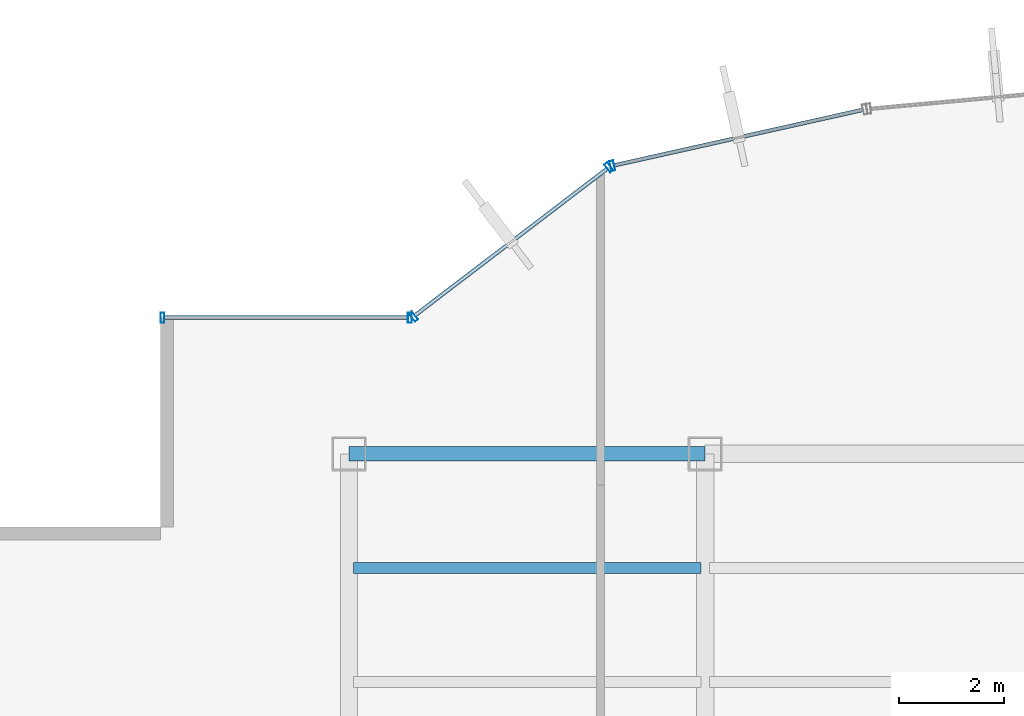
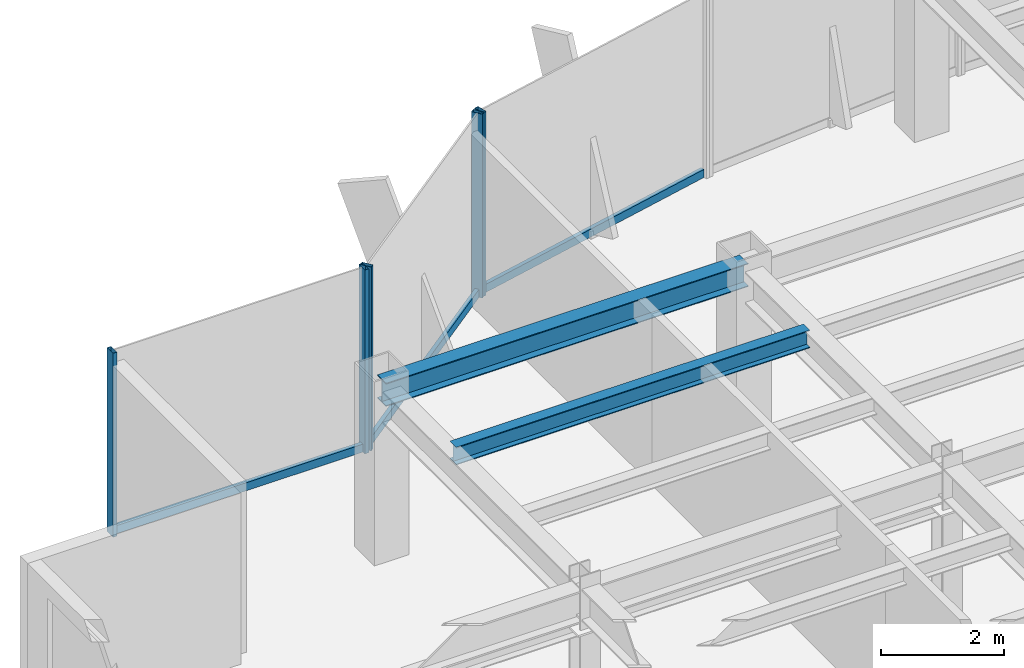
# One storey, part 8 of 19: 8 members, 2 beams, 3 elements without a shape of their own.
"""IFC4 building model written with IfcOpenShell, lengths in metres."""

import ifcopenshell
import ifcopenshell.guid

model = None  # the IFC model being written
_history = None  # IfcOwnerHistory: only IFC2X3 demands one
_inside = {}  # id of a spatial element -> (the spatial element, [elements in it])
_under = {}  # id of a project, library or spatial element -> (it, [spatial elements below it])
_declared = {}  # id of a project -> (the project, [libraries it declares])
_typed = {}  # id of a type object -> (the type object, [elements of that type])
_made_of = {}  # id of a material, layer set ... -> (it, [elements and type objects made of it])


def new_model(schema):
    """Start an empty IFC model of exactly this schema.

    Asked for "IFC4X3", IfcOpenShell would pick the latest addendum, in which some entities
    have other attributes; the version numbers below select the first issue.
    IFC2X3 requires an IfcOwnerHistory on every rooted entity: one is made here for all.
    """
    global model, _history
    if schema == "IFC4X3":
        model = ifcopenshell.file(schema_version=(4, 3, 0, 0))
    else:
        model = ifcopenshell.file(schema=schema)
    _inside.clear()
    _under.clear()
    _declared.clear()
    _typed.clear()
    _made_of.clear()
    _history = None
    if model.schema == "IFC2X3":
        org = make("IfcOrganization", Name="unknown")
        user = make(
            "IfcPersonAndOrganization",
            ThePerson=make("IfcPerson", FamilyName="unknown"),
            TheOrganization=org,
        )
        app = make(
            "IfcApplication",
            ApplicationDeveloper=org,
            Version="unknown",
            ApplicationFullName="unknown",
            ApplicationIdentifier="unknown",
        )
        _history = make(
            "IfcOwnerHistory",
            OwningUser=user,
            OwningApplication=app,
            ChangeAction="ADDED",
            CreationDate=0,
        )
    return model


def make(cls, **values):
    """One entity of the class cls with the attributes given. An attribute that is None is left unset."""
    return model.create_entity(
        cls, **{name: value for name, value in values.items() if value is not None}
    )


def rooted(cls, **values):
    """An entity with a GlobalId (a new one), such as an element, a storey or a relation."""
    return make(cls, GlobalId=ifcopenshell.guid.new(), OwnerHistory=_history, **values)


def si_unit(unit_type, name, prefix=None):
    """IfcSIUnit, for example si_unit("LENGTHUNIT", "METRE", prefix="MILLI")."""
    return make("IfcSIUnit", UnitType=unit_type, Prefix=prefix, Name=name)


def derived_unit(unit_type, elements):
    """IfcDerivedUnit: a product of units, each with its exponent."""
    return make(
        "IfcDerivedUnit",
        Elements=[
            make("IfcDerivedUnitElement", Unit=unit, Exponent=power)
            for unit, power in elements
        ],
        UnitType=unit_type,
    )


def assignment(units):
    """IfcUnitAssignment: the units of a project."""
    return None if units is None else make("IfcUnitAssignment", Units=units)


def point(xyz):
    """IfcCartesianPoint."""
    return None if xyz is None else make("IfcCartesianPoint", Coordinates=xyz)


def direction(xyz):
    """IfcDirection."""
    return None if xyz is None else make("IfcDirection", DirectionRatios=xyz)


def frame(location, z_axis=None, x_axis=None):
    """IfcAxis2Placement3D, a coordinate frame: its origin and axes. An axis left out is left unset."""
    return make(
        "IfcAxis2Placement3D",
        Location=point(location),
        Axis=direction(z_axis),
        RefDirection=direction(x_axis),
    )


def frame_2d(location, x_axis=None):
    """IfcAxis2Placement2D, a coordinate frame in the plane: its origin and x axis."""
    return make(
        "IfcAxis2Placement2D", Location=point(location), RefDirection=direction(x_axis)
    )


def origin():
    """The frame at (0, 0, 0) with its axes left unset."""
    return frame((0.0, 0.0, 0.0))


def origin_2d():
    """The frame at (0, 0) in the plane with its x axis left unset."""
    return frame_2d((0.0, 0.0))


def place(relative_to, where):
    """IfcLocalPlacement: puts the frame where relative to a parent placement (None: the world)."""
    return make(
        "IfcLocalPlacement", PlacementRelTo=relative_to, RelativePlacement=where
    )


def context(
    kind, dimensions, precision=None, world=None, true_north=None, identifier=None
):
    """IfcGeometricRepresentationContext, for example the 3D "Model" context."""
    return make(
        "IfcGeometricRepresentationContext",
        ContextIdentifier=identifier,
        ContextType=kind,
        CoordinateSpaceDimension=dimensions,
        Precision=precision,
        WorldCoordinateSystem=world,
        TrueNorth=true_north,
    )


def subcontext(parent, identifier, kind, view, scale=None):
    """IfcGeometricRepresentationSubContext, for example "Body" below "Model"."""
    return make(
        "IfcGeometricRepresentationSubContext",
        ContextIdentifier=identifier,
        ContextType=kind,
        ParentContext=parent,
        TargetScale=scale,
        TargetView=view,
    )


def project(units=None, contexts=None):
    """IfcProject with its units and contexts."""
    return rooted(
        "IfcProject",
        Name="project",
        RepresentationContexts=contexts,
        UnitsInContext=assignment(units),
    )


def spatial(cls, under=None, at=None, **own):
    """A site, building, storey or space (cls), placed at a placement, below another one or the project."""
    s = rooted(cls, ObjectPlacement=at, **own)
    if under is not None:
        _under.setdefault(under.id(), (under, []))[1].append(s)
    return s


def profile(cls, at=None, kind="AREA", **sizes):
    """A parametric profile (cls). Its sizes go by their IFC names, for example OverallWidth=200.0."""
    return make(cls, ProfileType=kind, Position=at, **sizes)


def hollow_rectangle(**sizes):
    """IfcRectangleHollowProfileDef."""
    return profile("IfcRectangleHollowProfileDef", **sizes)


def i_section(**sizes):
    """IfcIShapeProfileDef."""
    return profile("IfcIShapeProfileDef", **sizes)


def extrude(swept, where, along, depth):
    """IfcExtrudedAreaSolid: the profile swept, set in the frame where, extruded along a direction by depth."""
    return make(
        "IfcExtrudedAreaSolid",
        SweptArea=swept,
        Position=where,
        ExtrudedDirection=direction(along),
        Depth=depth,
    )


def shape(context_of_items, identifier, shape_type, items):
    """IfcShapeRepresentation: the items that make up one representation, for example the "Body"."""
    return make(
        "IfcShapeRepresentation",
        ContextOfItems=context_of_items,
        RepresentationIdentifier=identifier,
        RepresentationType=shape_type,
        Items=items,
    )


def source(mapping_origin, context_of_items, identifier, shape_type, items):
    """IfcRepresentationMap: a shape defined once, which mapped items show again and again."""
    return make(
        "IfcRepresentationMap",
        MappingOrigin=mapping_origin,
        MappedRepresentation=shape(context_of_items, identifier, shape_type, items),
    )


def transform(
    local_origin,
    x_axis=None,
    y_axis=None,
    z_axis=None,
    scale=None,
    scale2=None,
    scale3=None,
    uniform=True,
):
    """IfcCartesianTransformationOperator3D, or its non-uniform kind. x_axis, y_axis, z_axis: its Axis1, 2, 3."""
    if uniform:
        return make(
            "IfcCartesianTransformationOperator3D",
            Axis1=direction(x_axis),
            Axis2=direction(y_axis),
            LocalOrigin=point(local_origin),
            Scale=scale,
            Axis3=direction(z_axis),
        )
    return make(
        "IfcCartesianTransformationOperator3DnonUniform",
        Axis1=direction(x_axis),
        Axis2=direction(y_axis),
        LocalOrigin=point(local_origin),
        Scale=scale,
        Axis3=direction(z_axis),
        Scale2=scale2,
        Scale3=scale3,
    )


def mapped(mapping_source, mapping_target):
    """IfcMappedItem: shows the shape of a source again, moved by a transform."""
    return make(
        "IfcMappedItem", MappingSource=mapping_source, MappingTarget=mapping_target
    )


def material(Name=None, Category=None):
    """IfcMaterial."""
    return make("IfcMaterial", Name=Name, Category=Category)


def material_profile(
    of_material, cross_section, Name=None, Category=None, Priority=None
):
    """IfcMaterialProfile: a cross section and its material."""
    return make(
        "IfcMaterialProfile",
        Name=Name,
        Material=of_material,
        Profile=cross_section,
        Priority=Priority,
        Category=Category,
    )


def profile_set(profiles, Name=None, composite=None):
    """IfcMaterialProfileSet."""
    return make(
        "IfcMaterialProfileSet",
        Name=Name,
        MaterialProfiles=profiles,
        CompositeProfile=composite,
    )


def made_of(thing, what):
    """Note that an element or type object is made of a material, layer set ...; save() writes the relation."""
    if what is not None:
        _made_of.setdefault(what.id(), (what, []))[1].append(thing)
    return thing


def type_object(cls, material=None, **own):
    """A type object (cls), such as IfcWallType, which elements share."""
    return made_of(rooted(cls, **own), material)


def element(
    cls,
    number,
    at=None,
    inside=None,
    cuts=None,
    type_object=None,
    material=None,
    context=None,
    identifier="Body",
    shape_type=None,
    held_by="IfcProductDefinitionShape",
    body=None,
    shapes=None,
    **own,
):
    """One element of the class cls, such as IfcWall. Its Tag is "e" and its number.

    at: its placement. inside: the storey or other place that contains it. cuts: it is an
    opening in that element (IfcRelVoidsElement). A single representation is given by context,
    identifier, shape_type and body (its items); several are given by shapes. held_by: the class
    of the entity that holds the representations. save() writes the other relations.
    """
    e = rooted(cls, Tag="e%d" % number, ObjectPlacement=at, **own)
    if body is not None:
        shapes = [shape(context, identifier, shape_type, body)]
    if shapes is not None:
        e.Representation = make(held_by, Representations=shapes)
    if inside is not None:
        _inside.setdefault(inside.id(), (inside, []))[1].append(e)
    if cuts is not None:
        rooted(
            "IfcRelVoidsElement", RelatingBuildingElement=cuts, RelatedOpeningElement=e
        )
    if type_object is not None:
        _typed.setdefault(type_object.id(), (type_object, []))[1].append(e)
    return made_of(e, material)


def aggregate(whole, parts):
    """IfcRelAggregates: a whole, such as a stair, and the parts it consists of."""
    return rooted("IfcRelAggregates", RelatingObject=whole, RelatedObjects=parts)


def save(model, path):
    """Write the relations noted so far, then the file.

    IfcRelAggregates (storeys below a building ...), IfcRelContainedInSpatialStructure (elements
    in a storey), IfcRelDefinesByType, IfcRelAssociatesMaterial and IfcRelDeclares: one each for
    every whole, place, type object, material and project.
    """
    for whole, parts in _under.values():
        aggregate(whole, parts)
    for where, things in _inside.values():
        rooted(
            "IfcRelContainedInSpatialStructure",
            RelatedElements=things,
            RelatingStructure=where,
        )
    for kind, things in _typed.values():
        rooted("IfcRelDefinesByType", RelatedObjects=things, RelatingType=kind)
    for what, things in _made_of.values():
        rooted("IfcRelAssociatesMaterial", RelatedObjects=things, RelatingMaterial=what)
    for by, libraries in _declared.values():
        rooted("IfcRelDeclares", RelatingContext=by, RelatedDefinitions=libraries)
    model.write(path)


model = new_model("IFC4")

# Units and contexts
model_context = context("Model", 3, precision=1e-05, world=origin(), true_north=direction((0.0, 1.0)))
body_context = subcontext(model_context, "Body", "Model", "MODEL_VIEW")
ifc_project = project(units=[si_unit("LENGTHUNIT", "METRE"), si_unit("AREAUNIT", "SQUARE_METRE"), si_unit("VOLUMEUNIT", "CUBIC_METRE"), si_unit("PLANEANGLEUNIT", "RADIAN"), si_unit("MASSUNIT", "GRAM", prefix="KILO"), derived_unit("THERMALTRANSMITTANCEUNIT", [(si_unit("POWERUNIT", "WATT"), 1), (si_unit("LENGTHUNIT", "METRE"), -2), (si_unit("THERMODYNAMICTEMPERATUREUNIT", "KELVIN"), -1)])], contexts=[model_context])

# Site, building, storey
site_placement = place(None, origin())
site = spatial("IfcSite", under=ifc_project, at=site_placement, CompositionType="ELEMENT")
building_placement = place(site_placement, origin())
building = spatial("IfcBuilding", under=site, at=building_placement, Name="Skarnbrae Concourse Arena and Tower", CompositionType="ELEMENT")
storey_placement = place(building_placement, frame((0.0, 0.0, 180.75)))
storey = spatial("IfcBuildingStorey", under=building, at=storey_placement, Name="L46", CompositionType="ELEMENT", Elevation=180.75)

# Beams
ifc_material_1 = material(Name="Steel CSA G40.21 350W", Category="steel")
ifc_material_profile_1 = material_profile(ifc_material_1, i_section(OverallWidth=0.280029296875, OverallDepth=0.462890625, WebThickness=0.0107421875, FlangeThickness=0.017333984375, at=origin_2d()), Name="W460X113")
ifc_profile_set_1 = profile_set([ifc_material_profile_1], Name="Steel CSA G40.21 350W")
beam_type_1 = type_object("IfcBeamType", Name="BM-SPAN-W460X113", PredefinedType="SPANDREL", material=ifc_profile_set_1)
shared_shape_1 = source(origin(), body_context, "Body", "SweptSolid", [
    extrude(i_section(OverallWidth=0.280029296875, OverallDepth=0.462890625, WebThickness=0.0107421875, FlangeThickness=0.017333984375, at=origin_2d()), origin(), (0.0, 0.0, 1.0), 6.7998046875),
])
beam_1_placement = place(storey_placement, frame((7.60009765625, 34.39990234375, 3.16845703125), z_axis=(1.0, 0.0, 0.0), x_axis=(0.0, 1.0, 0.0)))
element("IfcBeam", 1, at=beam_1_placement, inside=storey, type_object=beam_type_1, Name="L46 Perimeter spandrel Y34.4-1", PredefinedType="SPANDREL", context=body_context, shape_type="MappedRepresentation", body=[
    mapped(shared_shape_1, transform((0.0, 0.0, 0.0))),
])
ifc_material_profile_2 = material_profile(ifc_material_1, i_section(OverallWidth=0.205078125, OverallDepth=0.35400390625, WebThickness=0.009521484375, FlangeThickness=0.016845703125, at=origin_2d()), Name="W360X79")
ifc_profile_set_2 = profile_set([ifc_material_profile_2], Name="Steel CSA G40.21 350W")
beam_type_2 = type_object("IfcBeamType", Name="BM-JOIST-W360X79", PredefinedType="JOIST", material=ifc_profile_set_2)
shared_shape_2 = source(origin(), body_context, "Body", "SweptSolid", [
    extrude(i_section(OverallWidth=0.205078125, OverallDepth=0.35400390625, WebThickness=0.009521484375, FlangeThickness=0.016845703125, at=origin_2d()), origin(), (0.0, 0.0, 1.0), 6.64013671875),
])
beam_2_placement = place(storey_placement, frame((7.679931640625, 32.221923828125, 3.222900390625), z_axis=(1.0, 0.0, 0.0), x_axis=(0.0, 1.0, 0.0)))
element("IfcBeam", 2, at=beam_2_placement, inside=storey, type_object=beam_type_2, Name="L46 Secondary floor joist 3.2.1", PredefinedType="JOIST", context=body_context, shape_type="MappedRepresentation", body=[
    mapped(shared_shape_2, transform((0.0, 0.0, 0.0))),
])

# Curtain wall, member
ifc_material_2 = material(Name="Bronze anodised aluminium 6063-T6", Category="aluminium")
curtain_wall_type = type_object("IfcCurtainWallType", Name="CW-SYS-04-MIDZONE", PredefinedType="USERDEFINED", material=ifc_material_2)
curtain_wall_1_placement = place(storey_placement, origin())
curtain_wall_1 = element("IfcCurtainWall", 3, at=curtain_wall_1_placement, inside=storey, type_object=curtain_wall_type, Name="L46 Unitised curtain wall CW-L46-E13", ObjectType="UNITISED CURTAIN WALL", PredefinedType="USERDEFINED")
ifc_material_profile_3 = material_profile(ifc_material_2, hollow_rectangle(XDim=0.074951171875, YDim=0.195068359375, WallThickness=0.00439453125, at=origin_2d()), Name="ALU-MULL-75X195")
ifc_profile_set_3 = profile_set([ifc_material_profile_3], Name="Bronze anodised aluminium 6063-T6")
member_type_1 = type_object("IfcMemberType", Name="CWM-CW-04", PredefinedType="MULLION", material=ifc_profile_set_3)
shared_shape_3 = source(origin(), body_context, "Body", "SweptSolid", [
    extrude(hollow_rectangle(XDim=0.074951171875, YDim=0.195068359375, WallThickness=0.00439453125, at=origin_2d()), origin(), (0.0, 0.0, 1.0), 3.64990234375),
])
member_1_placement = place(storey_placement, frame((12.627197265625, 39.90087890625, 0.0), z_axis=(0.0, 0.0, 1.0), x_axis=(-0.975936175393, -0.218056372433, 0.0)))
member_1 = element("IfcMember", 4, at=member_1_placement, type_object=member_type_1, Name="CW-L46-E13 Mullion 2", PredefinedType="MULLION", context=body_context, shape_type="MappedRepresentation", body=[
    mapped(shared_shape_3, transform((0.0, 0.0, 0.0))),
])

# Curtain wall, members
curtain_wall_2_placement = place(storey_placement, origin())
curtain_wall_2 = element("IfcCurtainWall", 5, at=curtain_wall_2_placement, inside=storey, type_object=curtain_wall_type, Name="L46 Unitised curtain wall CW-L46-E14", ObjectType="UNITISED CURTAIN WALL", PredefinedType="USERDEFINED")
member_2_placement = place(storey_placement, frame((12.560791015625, 39.869873046875, 0.0), z_axis=(0.0, 0.0, 1.0), x_axis=(-0.794956000706, -0.606667089054, 0.0)))
member_2 = element("IfcMember", 6, at=member_2_placement, type_object=member_type_1, Name="CW-L46-E14 Mullion 1", PredefinedType="MULLION", context=body_context, shape_type="MappedRepresentation", body=[
    mapped(shared_shape_3, transform((0.0, 0.0, 0.0))),
])
member_3_placement = place(storey_placement, frame((8.829833984375, 37.022705078125, 0.0), z_axis=(0.0, 0.0, 1.0), x_axis=(-0.794956000706, -0.606667089054, 0.0)))
member_3 = element("IfcMember", 7, at=member_3_placement, type_object=member_type_1, Name="CW-L46-E14 Mullion 2", PredefinedType="MULLION", context=body_context, shape_type="MappedRepresentation", body=[
    mapped(shared_shape_3, transform((0.0, 0.0, 0.0))),
])

curtain_wall_3_placement = place(storey_placement, origin())
curtain_wall_3 = element("IfcCurtainWall", 8, at=curtain_wall_3_placement, inside=storey, type_object=curtain_wall_type, Name="L46 Unitised curtain wall CW-L46-E15", ObjectType="UNITISED CURTAIN WALL", PredefinedType="USERDEFINED")
member_4_placement = place(storey_placement, frame((8.762451171875, 37.0, 0.0), z_axis=(0.0, 0.0, 1.0), x_axis=(-1.0, 0.0, 0.0)))
member_4 = element("IfcMember", 9, at=member_4_placement, type_object=member_type_1, Name="CW-L46-E15 Mullion 1", PredefinedType="MULLION", context=body_context, shape_type="MappedRepresentation", body=[
    mapped(shared_shape_3, transform((0.0, 0.0, 0.0))),
])
member_5_placement = place(storey_placement, frame((4.03759765625, 37.0, 0.0), z_axis=(0.0, 0.0, 1.0), x_axis=(-1.0, 0.0, 0.0)))
member_5 = element("IfcMember", 10, at=member_5_placement, type_object=member_type_1, Name="CW-L46-E15 Mullion 2", PredefinedType="MULLION", context=body_context, shape_type="MappedRepresentation", body=[
    mapped(shared_shape_3, transform((0.0, 0.0, 0.0))),
])
ifc_material_profile_4 = material_profile(ifc_material_2, hollow_rectangle(XDim=0.074951171875, YDim=0.159912109375, WallThickness=0.00439453125, at=origin_2d()), Name="ALU-TRAN-75X160")
ifc_profile_set_4 = profile_set([ifc_material_profile_4], Name="Bronze anodised aluminium 6063-T6")
member_type_2 = type_object("IfcMemberType", Name="CWT-CW-04", PredefinedType="USERDEFINED", material=ifc_profile_set_4)
shared_shape_4 = source(origin(), body_context, "Body", "SweptSolid", [
    extrude(hollow_rectangle(XDim=0.074951171875, YDim=0.159912109375, WallThickness=0.00439453125, at=origin_2d()), origin(), (0.0, 0.0, 1.0), 4.650146484375),
])
member_6_placement = place(storey_placement, frame((8.72509765625, 37.0, 0.080078125), z_axis=(-1.0, 0.0, 0.0), x_axis=(0.0, -1.0, 0.0)))
member_6 = element("IfcMember", 11, at=member_6_placement, type_object=member_type_2, Name="CW-L46-E15 Transom 1", ObjectType="TRANSOM", PredefinedType="USERDEFINED", context=body_context, shape_type="MappedRepresentation", body=[
    mapped(shared_shape_4, transform((0.0, 0.0, 0.0))),
])
aggregate(curtain_wall_3, [member_4, member_5, member_6])

# Member
shared_shape_5 = source(origin(), body_context, "Body", "SweptSolid", [
    extrude(hollow_rectangle(XDim=0.074951171875, YDim=0.159912109375, WallThickness=0.00439453125, at=origin_2d()), origin(), (0.0, 0.0, 1.0), 4.618408203125),
])
member_7_placement = place(storey_placement, frame((12.531005859375, 39.84716796875, 0.080078125), z_axis=(-0.794960638756, -0.606661011462, 0.0), x_axis=(0.606661011462, -0.794960638756, 0.0)))
member_7 = element("IfcMember", 12, at=member_7_placement, type_object=member_type_2, Name="CW-L46-E14 Transom 1", ObjectType="TRANSOM", PredefinedType="USERDEFINED", context=body_context, shape_type="MappedRepresentation", body=[
    mapped(shared_shape_5, transform((0.0, 0.0, 0.0))),
])

aggregate(curtain_wall_2, [member_2, member_3, member_7])

shared_shape_6 = source(origin(), body_context, "Body", "SweptSolid", [
    extrude(hollow_rectangle(XDim=0.074951171875, YDim=0.159912109375, WallThickness=0.00439453125, at=origin_2d()), origin(), (0.0, 0.0, 1.0), 4.867919921875),
])
member_8_placement = place(storey_placement, frame((17.41455078125, 40.970458984375, 0.080078125), z_axis=(-0.975944534406, -0.218018957349, 0.0), x_axis=(0.218018957349, -0.975944534406, 0.0)))
member_8 = element("IfcMember", 13, at=member_8_placement, type_object=member_type_2, Name="CW-L46-E13 Transom 1", ObjectType="TRANSOM", PredefinedType="USERDEFINED", context=body_context, shape_type="MappedRepresentation", body=[
    mapped(shared_shape_6, transform((0.0, 0.0, 0.0))),
])

aggregate(curtain_wall_1, [member_1, member_8])

save(model, "model.ifc")
